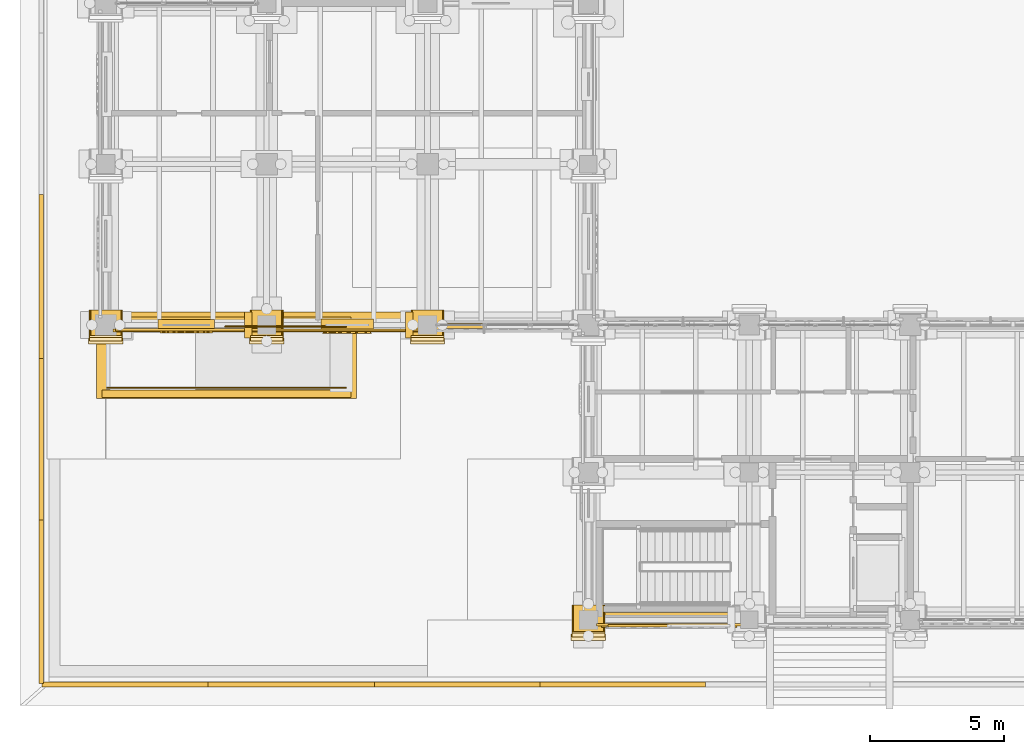
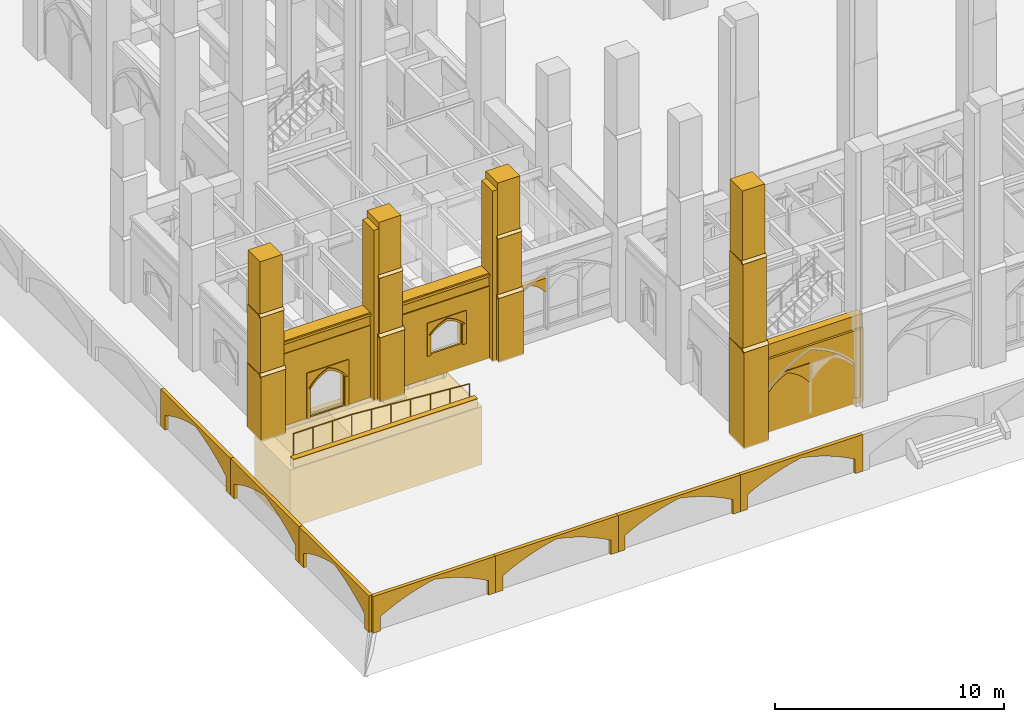
# One storey, part 74 of 135: 47 coverings, 2 railings.
"""IFC4 building model written with IfcOpenShell, lengths in metres."""

from ifc_helpers import new_model, si_unit, direction, frame, origin, origin_2d, place, context, subcontext, project, spatial, polyline, rectangle, circle, outline, extrude, material, type_object, element, save


model = new_model("IFC4")

# Units and contexts
model_context = context("Model", 3, precision=1e-05, world=origin(), true_north=direction((0.0, 1.0)))
body_context = subcontext(model_context, "Body", "Model", "MODEL_VIEW")
ifc_project = project(units=[si_unit("LENGTHUNIT", "METRE"), si_unit("AREAUNIT", "SQUARE_METRE"), si_unit("VOLUMEUNIT", "CUBIC_METRE"), si_unit("PLANEANGLEUNIT", "RADIAN"), si_unit("MASSUNIT", "GRAM", prefix="KILO")], contexts=[model_context])

# Site, building, storey
site_placement = place(None, origin())
site = spatial("IfcSite", under=ifc_project, at=site_placement, CompositionType="ELEMENT")
building_placement = place(site_placement, origin())
building = spatial("IfcBuilding", under=site, at=building_placement, Name="Cumevento Cable Car Station", CompositionType="ELEMENT")
storey_placement = place(building_placement, origin())
storey = spatial("IfcBuildingStorey", under=building, at=storey_placement, Name="L01", CompositionType="ELEMENT", Elevation=0.0)

# Railings
ifc_material_1 = material(Name="Painted Galvanised Architectural Steel", Category="steel")
railing_type = type_object("IfcRailingType", Name="Stair Guardrail GR-S115", PredefinedType="GUARDRAIL", material=ifc_material_1)
railing_1_placement = place(storey_placement, frame((4.050048828125, 12.659912109375, 0.0)))
element("IfcRailing", 1, at=railing_1_placement, inside=storey, type_object=railing_type, Name="Ramp Edge Guardrail RP-04 #198", PredefinedType="GUARDRAIL", context=body_context, shape_type="SweptSolid", body=[
    extrude(circle(Radius=0.02392578125, at=origin_2d()), frame((0.0, 0.0, 1.1259765625), z_axis=(1.0, 0.0, 0.0), x_axis=(0.0, 1.0, 0.0)), (0.0, 0.0, 1.0), 2.949951171875),
    extrude(circle(Radius=0.02392578125, at=origin_2d()), frame((2.949951171875, 0.0, 1.1259765625), z_axis=(0.997152812216, 0.0, -0.075407354352), x_axis=(0.0, 1.0, 0.0)), (0.0, 0.0, 1.0), 5.967041015625),
    extrude(circle(Radius=0.02001953125, at=origin_2d()), origin(), (0.0, 0.0, 1.0), 1.101806640625),
    extrude(circle(Radius=0.02001953125, at=origin_2d()), frame((0.9833984375, 0.0, 0.0)), (0.0, 0.0, 1.0), 1.101806640625),
    extrude(circle(Radius=0.02001953125, at=origin_2d()), frame((1.966552734375, 0.0, 0.0)), (0.0, 0.0, 1.0), 1.101806640625),
    extrude(circle(Radius=0.02001953125, at=origin_2d()), frame((2.949951171875, 0.0, 0.0)), (0.0, 0.0, 1.0), 1.101806640625),
    extrude(circle(Radius=0.02001953125, at=origin_2d()), frame((3.941650390625, 0.0, -0.074951171875)), (0.0, 0.0, 1.0), 1.101806640625),
    extrude(circle(Radius=0.02001953125, at=origin_2d()), frame((4.933349609375, 0.0, -0.14990234375)), (0.0, 0.0, 1.0), 1.101806640625),
    extrude(circle(Radius=0.02001953125, at=origin_2d()), frame((5.9248046875, 0.0, -0.22509765625)), (0.0, 0.0, 1.0), 1.101806640625),
    extrude(circle(Radius=0.02001953125, at=origin_2d()), frame((6.91650390625, 0.0, -0.300048828125)), (0.0, 0.0, 1.0), 1.101806640625),
    extrude(circle(Radius=0.02001953125, at=origin_2d()), frame((7.908203125, 0.0, -0.375)), (0.0, 0.0, 1.0), 1.101806640625),
    extrude(circle(Radius=0.02001953125, at=origin_2d()), frame((8.89990234375, 0.0, -0.449951171875)), (0.0, 0.0, 1.0), 1.101806640625),
])
railing_2_placement = place(storey_placement, frame((8.449951171875, 14.93994140625, -0.108642578125)))
element("IfcRailing", 2, at=railing_2_placement, inside=storey, type_object=railing_type, Name="Ramp Edge Guardrail RP-04 #199", PredefinedType="GUARDRAIL", context=body_context, shape_type="SweptSolid", body=[
    extrude(circle(Radius=0.02392578125, at=origin_2d()), frame((0.0, 0.0, 1.1259765625), z_axis=(0.997136016038, 0.0, -0.075629131425), x_axis=(0.0, 1.0, 0.0)), (0.0, 0.0, 1.0), 4.512939453125),
    extrude(circle(Radius=0.02001953125, at=origin_2d()), origin(), (0.0, 0.0, 1.0), 1.101806640625),
    extrude(circle(Radius=0.02001953125, at=origin_2d()), frame((0.89990234375, 0.0, -0.068359375)), (0.0, 0.0, 1.0), 1.101806640625),
    extrude(circle(Radius=0.02001953125, at=origin_2d()), frame((1.800048828125, 0.0, -0.136474609375)), (0.0, 0.0, 1.0), 1.101806640625),
    extrude(circle(Radius=0.02001953125, at=origin_2d()), frame((2.699951171875, 0.0, -0.204833984375)), (0.0, 0.0, 1.0), 1.101806640625),
    extrude(circle(Radius=0.02001953125, at=origin_2d()), frame((3.60009765625, 0.0, -0.27294921875)), (0.0, 0.0, 1.0), 1.101806640625),
    extrude(circle(Radius=0.02001953125, at=origin_2d()), frame((4.5, 0.0, -0.34130859375)), (0.0, 0.0, 1.0), 1.101806640625),
])

# Coverings
ifc_material_2 = material(Name="Gnaisse Facoidal Stone Ashlar 85 MPa", Category="masonry")
covering_type = type_object("IfcCoveringType", Name="Gnaisse Ashlar Cladding CV-CL01", PredefinedType="CLADDING", material=ifc_material_2)
covering_1_placement = place(storey_placement, frame((4.0, 14.93994140625, -0.06005859375), z_axis=(0.0, 0.0, 1.0), x_axis=(1.0, 0.0, 0.0)))
element("IfcCovering", 3, at=covering_1_placement, inside=storey, type_object=covering_type, Name="Stepped Gothic Stone Buttress Tier 1 bt:4.0:15.0", PredefinedType="CLADDING", context=body_context, shape_type="SweptSolid", body=[
    extrude(rectangle(XDim=1.239990234375, YDim=1.239990234375, at=origin_2d()), origin(), (0.0, 0.0, 1.0), 3.465576171875),
])
covering_2_placement = place(storey_placement, frame((3.360107421875, 14.300048828125, 3.385498046875), z_axis=(0.0, -0.714474823669, 0.699661151089), x_axis=(1.0, 0.0, 0.0)))
element("IfcCovering", 4, at=covering_2_placement, inside=storey, type_object=covering_type, Name="Gothic Buttress Sloped Stone Weathering 1 bt:4.0:15.0", PredefinedType="CLADDING", context=body_context, shape_type="SweptSolid", body=[
    extrude(outline(polyline([(0.0, 0.0), (1.27978515625, 0.0), (1.27978515625, 0.21424991728737658), (0.0, 0.21424991728737658), (0.0, 0.0)])), origin(), (0.0, 0.0, -1.0), 0.090087890625),
])
covering_3_placement = place(storey_placement, frame((4.0, 14.989990234375, 3.22314453125), z_axis=(0.0, 0.0, 1.0), x_axis=(1.0, 0.0, 0.0)))
element("IfcCovering", 5, at=covering_3_placement, inside=storey, type_object=covering_type, Name="Stepped Gothic Stone Buttress Tier 2 bt:4.0:15.0", PredefinedType="CLADDING", context=body_context, shape_type="SweptSolid", body=[
    extrude(rectangle(XDim=1.179931640625, YDim=1.139892578125, at=origin_2d()), origin(), (0.0, 0.0, 1.0), 3.283203125),
])
covering_4_placement = place(storey_placement, frame((3.389892578125, 14.39990234375, 6.486328125), z_axis=(0.0, -0.715574205881, 0.698536724788), x_axis=(1.0, 0.0, 0.0)))
element("IfcCovering", 6, at=covering_4_placement, inside=storey, type_object=covering_type, Name="Gothic Buttress Sloped Stone Weathering 2 bt:4.0:15.0", PredefinedType="CLADDING", context=body_context, shape_type="SweptSolid", body=[
    extrude(outline(polyline([(0.0, 0.0), (1.22021484375, 0.0), (1.22021484375, 0.2006146760464928), (0.0, 0.2006146760464928), (0.0, 0.0)])), origin(), (0.0, 0.0, -1.0), 0.090087890625),
])
covering_5_placement = place(storey_placement, frame((4.0, 15.034912109375, 6.32421875), z_axis=(0.0, 0.0, 1.0), x_axis=(1.0, 0.0, 0.0)))
element("IfcCovering", 7, at=covering_5_placement, inside=storey, type_object=covering_type, Name="Stepped Gothic Stone Buttress Tier 3 bt:4.0:15.0", PredefinedType="CLADDING", context=body_context, shape_type="SweptSolid", body=[
    extrude(rectangle(XDim=1.1201171875, YDim=1.050048828125, at=origin_2d()), origin(), (0.0, 0.0, 1.0), 3.075927734375),
])
covering_6_placement = place(storey_placement, frame((10.0, 14.93994140625, -0.06005859375), z_axis=(0.0, 0.0, 1.0), x_axis=(1.0, 0.0, 0.0)))
element("IfcCovering", 8, at=covering_6_placement, inside=storey, type_object=covering_type, Name="Stepped Gothic Stone Buttress Tier 1 bt:10.0:15.0", PredefinedType="CLADDING", context=body_context, shape_type="SweptSolid", body=[
    extrude(rectangle(XDim=1.239990234375, YDim=1.239990234375, at=origin_2d()), origin(), (0.0, 0.0, 1.0), 3.465576171875),
])
covering_7_placement = place(storey_placement, frame((9.360107421875, 14.300048828125, 3.385498046875), z_axis=(0.0, -0.714474823669, 0.699661151089), x_axis=(1.0, 0.0, 0.0)))
element("IfcCovering", 9, at=covering_7_placement, inside=storey, type_object=covering_type, Name="Gothic Buttress Sloped Stone Weathering 1 bt:10.0:15.0", PredefinedType="CLADDING", context=body_context, shape_type="SweptSolid", body=[
    extrude(outline(polyline([(0.0, 0.0), (1.27978515625, 0.0), (1.27978515625, 0.21424991728737658), (0.0, 0.21424991728737658), (0.0, 0.0)])), origin(), (0.0, 0.0, -1.0), 0.090087890625),
])
covering_8_placement = place(storey_placement, frame((10.0, 14.989990234375, 3.22314453125), z_axis=(0.0, 0.0, 1.0), x_axis=(1.0, 0.0, 0.0)))
element("IfcCovering", 10, at=covering_8_placement, inside=storey, type_object=covering_type, Name="Stepped Gothic Stone Buttress Tier 2 bt:10.0:15.0", PredefinedType="CLADDING", context=body_context, shape_type="SweptSolid", body=[
    extrude(rectangle(XDim=1.179931640625, YDim=1.139892578125, at=origin_2d()), origin(), (0.0, 0.0, 1.0), 3.283203125),
])
covering_9_placement = place(storey_placement, frame((9.389892578125, 14.39990234375, 6.486328125), z_axis=(0.0, -0.715574205881, 0.698536724788), x_axis=(1.0, 0.0, 0.0)))
element("IfcCovering", 11, at=covering_9_placement, inside=storey, type_object=covering_type, Name="Gothic Buttress Sloped Stone Weathering 2 bt:10.0:15.0", PredefinedType="CLADDING", context=body_context, shape_type="SweptSolid", body=[
    extrude(outline(polyline([(0.0, 0.0), (1.22021484375, 0.0), (1.22021484375, 0.2006146760464928), (0.0, 0.2006146760464928), (0.0, 0.0)])), origin(), (0.0, 0.0, -1.0), 0.090087890625),
])
covering_10_placement = place(storey_placement, frame((10.0, 15.034912109375, 6.32421875), z_axis=(0.0, 0.0, 1.0), x_axis=(1.0, 0.0, 0.0)))
element("IfcCovering", 12, at=covering_10_placement, inside=storey, type_object=covering_type, Name="Stepped Gothic Stone Buttress Tier 3 bt:10.0:15.0", PredefinedType="CLADDING", context=body_context, shape_type="SweptSolid", body=[
    extrude(rectangle(XDim=1.1201171875, YDim=1.050048828125, at=origin_2d()), origin(), (0.0, 0.0, 1.0), 3.075927734375),
])
covering_11_placement = place(storey_placement, frame((9.320068359375, 15.0, -0.06005859375), z_axis=(0.0, 0.0, 1.0), x_axis=(1.0, 0.0, 0.0)))
element("IfcCovering", 13, at=covering_11_placement, inside=storey, type_object=covering_type, Name="Corner Buttress Stone Return (10.0,15.0)", PredefinedType="CLADDING", context=body_context, shape_type="SweptSolid", body=[
    extrude(rectangle(XDim=0.280029296875, YDim=0.97998046875, at=origin_2d()), origin(), (0.0, 0.0, 1.0), 9.1201171875),
])
covering_12_placement = place(storey_placement, frame((16.0, 14.93994140625, -0.06005859375), z_axis=(0.0, 0.0, 1.0), x_axis=(1.0, 0.0, 0.0)))
element("IfcCovering", 14, at=covering_12_placement, inside=storey, type_object=covering_type, Name="Stepped Gothic Stone Buttress Tier 1 bt:16.0:15.0", PredefinedType="CLADDING", context=body_context, shape_type="SweptSolid", body=[
    extrude(rectangle(XDim=1.239990234375, YDim=1.239990234375, at=origin_2d()), origin(), (0.0, 0.0, 1.0), 3.465576171875),
])
covering_13_placement = place(storey_placement, frame((15.360107421875, 14.300048828125, 3.385498046875), z_axis=(0.0, -0.714474823669, 0.699661151089), x_axis=(1.0, 0.0, 0.0)))
element("IfcCovering", 15, at=covering_13_placement, inside=storey, type_object=covering_type, Name="Gothic Buttress Sloped Stone Weathering 1 bt:16.0:15.0", PredefinedType="CLADDING", context=body_context, shape_type="SweptSolid", body=[
    extrude(outline(polyline([(0.0, 0.0), (1.27978515625, 0.0), (1.27978515625, 0.21424991728737658), (0.0, 0.21424991728737658), (0.0, 0.0)])), origin(), (0.0, 0.0, -1.0), 0.090087890625),
])
covering_14_placement = place(storey_placement, frame((16.0, 14.989990234375, 3.22314453125), z_axis=(0.0, 0.0, 1.0), x_axis=(1.0, 0.0, 0.0)))
element("IfcCovering", 16, at=covering_14_placement, inside=storey, type_object=covering_type, Name="Stepped Gothic Stone Buttress Tier 2 bt:16.0:15.0", PredefinedType="CLADDING", context=body_context, shape_type="SweptSolid", body=[
    extrude(rectangle(XDim=1.179931640625, YDim=1.139892578125, at=origin_2d()), origin(), (0.0, 0.0, 1.0), 3.283203125),
])
covering_15_placement = place(storey_placement, frame((15.389892578125, 14.39990234375, 6.486328125), z_axis=(0.0, -0.715574205881, 0.698536724788), x_axis=(1.0, 0.0, 0.0)))
element("IfcCovering", 17, at=covering_15_placement, inside=storey, type_object=covering_type, Name="Gothic Buttress Sloped Stone Weathering 2 bt:16.0:15.0", PredefinedType="CLADDING", context=body_context, shape_type="SweptSolid", body=[
    extrude(outline(polyline([(0.0, 0.0), (1.22021484375, 0.0), (1.22021484375, 0.2006146760464928), (0.0, 0.2006146760464928), (0.0, 0.0)])), origin(), (0.0, 0.0, -1.0), 0.090087890625),
])
covering_16_placement = place(storey_placement, frame((16.0, 15.034912109375, 6.32421875), z_axis=(0.0, 0.0, 1.0), x_axis=(1.0, 0.0, 0.0)))
element("IfcCovering", 18, at=covering_16_placement, inside=storey, type_object=covering_type, Name="Stepped Gothic Stone Buttress Tier 3 bt:16.0:15.0", PredefinedType="CLADDING", context=body_context, shape_type="SweptSolid", body=[
    extrude(rectangle(XDim=1.1201171875, YDim=1.050048828125, at=origin_2d()), origin(), (0.0, 0.0, 1.0), 3.075927734375),
])
covering_17_placement = place(storey_placement, frame((15.320068359375, 15.0, -0.06005859375), z_axis=(0.0, 0.0, 1.0), x_axis=(1.0, 0.0, 0.0)))
element("IfcCovering", 19, at=covering_17_placement, inside=storey, type_object=covering_type, Name="Corner Buttress Stone Return (16.0,15.0)", PredefinedType="CLADDING", context=body_context, shape_type="SweptSolid", body=[
    extrude(rectangle(XDim=0.280029296875, YDim=0.97998046875, at=origin_2d()), origin(), (0.0, 0.0, 1.0), 9.1201171875),
])
covering_18_placement = place(storey_placement, frame((22.0, 3.909912109375, -0.06005859375), z_axis=(0.0, 0.0, 1.0), x_axis=(1.0, 0.0, 0.0)))
element("IfcCovering", 20, at=covering_18_placement, inside=storey, type_object=covering_type, Name="Stepped Gothic Stone Buttress Tier 1 bt:22.0:4.0", PredefinedType="CLADDING", context=body_context, shape_type="SweptSolid", body=[
    extrude(rectangle(XDim=1.239990234375, YDim=1.300048828125, at=origin_2d()), origin(), (0.0, 0.0, 1.0), 5.175537109375),
])
covering_19_placement = place(storey_placement, frame((21.360107421875, 3.239990234375, 5.095703125), z_axis=(0.0, -0.711135781079, 0.703054692658), x_axis=(1.0, 0.0, 0.0)))
element("IfcCovering", 21, at=covering_19_placement, inside=storey, type_object=covering_type, Name="Gothic Buttress Sloped Stone Weathering 1 bt:22.0:4.0", PredefinedType="CLADDING", context=body_context, shape_type="SweptSolid", body=[
    extrude(outline(polyline([(0.0, 0.0), (1.27978515625, 0.0), (1.27978515625, 0.24169083397703695), (0.0, 0.24169083397703695), (0.0, 0.0)])), origin(), (0.0, 0.0, -1.0), 0.090087890625),
])
covering_20_placement = place(storey_placement, frame((22.0, 3.969970703125, 4.84326171875), z_axis=(0.0, 0.0, 1.0), x_axis=(1.0, 0.0, 0.0)))
element("IfcCovering", 22, at=covering_20_placement, inside=storey, type_object=covering_type, Name="Stepped Gothic Stone Buttress Tier 2 bt:22.0:4.0", PredefinedType="CLADDING", context=body_context, shape_type="SweptSolid", body=[
    extrude(rectangle(XDim=1.179931640625, YDim=1.179931640625, at=origin_2d()), origin(), (0.0, 0.0, 1.0), 4.9033203125),
])
covering_21_placement = place(storey_placement, frame((21.389892578125, 3.360107421875, 9.726318359375), z_axis=(0.0, -0.714474823669, 0.699661151089), x_axis=(1.0, 0.0, 0.0)))
element("IfcCovering", 23, at=covering_21_placement, inside=storey, type_object=covering_type, Name="Gothic Buttress Sloped Stone Weathering 2 bt:22.0:4.0", PredefinedType="CLADDING", context=body_context, shape_type="SweptSolid", body=[
    extrude(outline(polyline([(0.0, 0.0), (1.22021484375, 0.0), (1.22021484375, 0.21424991728737655), (0.0, 0.21424991728737655), (0.0, 0.0)])), origin(), (0.0, 0.0, -1.0), 0.090087890625),
])
covering_22_placement = place(storey_placement, frame((22.0, 4.02001953125, 9.47412109375), z_axis=(0.0, 0.0, 1.0), x_axis=(1.0, 0.0, 0.0)))
element("IfcCovering", 24, at=covering_22_placement, inside=storey, type_object=covering_type, Name="Stepped Gothic Stone Buttress Tier 3 bt:22.0:4.0", PredefinedType="CLADDING", context=body_context, shape_type="SweptSolid", body=[
    extrude(rectangle(XDim=1.1201171875, YDim=1.080078125, at=origin_2d()), origin(), (0.0, 0.0, 1.0), 4.0859375),
])
covering_23_placement = place(storey_placement, frame((25.012451171875, 4.090087890625, 3.821044921875), z_axis=(0.0, 0.0, 1.0), x_axis=(-1.0, 0.0, 0.0)))
element("IfcCovering", 25, at=covering_23_placement, inside=storey, type_object=covering_type, Name="Gothic Stone Spandrel Stringcourse sc:0001", PredefinedType="CLADDING", context=body_context, shape_type="SweptSolid", body=[
    extrude(rectangle(XDim=5.385009765625, YDim=0.3798828125, at=origin_2d()), origin(), (0.0, 0.0, 1.0), 0.7470703125),
])
covering_24_placement = place(storey_placement, frame((7.02490234375, 15.14990234375, 3.7490234375), z_axis=(0.0, 0.0, 1.0), x_axis=(-1.0, 0.0, 0.0)))
element("IfcCovering", 26, at=covering_24_placement, inside=storey, type_object=covering_type, Name="Gothic Stone Spandrel Stringcourse sc:0054", PredefinedType="CLADDING", context=body_context, shape_type="SweptSolid", body=[
    extrude(rectangle(XDim=5.489990234375, YDim=0.659912109375, at=origin_2d()), origin(), (0.0, 0.0, 1.0), 0.7470703125),
])
covering_25_placement = place(storey_placement, frame((7.02490234375, 14.79248046875, 4.365966796875), z_axis=(0.0, 0.0, 1.0), x_axis=(-1.0, 0.0, 0.0)))
element("IfcCovering", 27, at=covering_25_placement, inside=storey, type_object=covering_type, Name="Gothic Cornice Dripstone Lip sc:0054", PredefinedType="CLADDING", context=body_context, shape_type="SweptSolid", body=[
    extrude(rectangle(XDim=5.530029296875, YDim=0.114990234375, at=origin_2d()), origin(), (0.0, 0.0, 1.0), 0.1298828125),
])
covering_26_placement = place(storey_placement, frame((13.0, 15.14990234375, 3.7490234375), z_axis=(0.0, 0.0, 1.0), x_axis=(-1.0, 0.0, 0.0)))
element("IfcCovering", 28, at=covering_26_placement, inside=storey, type_object=covering_type, Name="Gothic Stone Spandrel Stringcourse sc:0055", PredefinedType="CLADDING", context=body_context, shape_type="SweptSolid", body=[
    extrude(rectangle(XDim=5.5400390625, YDim=0.659912109375, at=origin_2d()), origin(), (0.0, 0.0, 1.0), 0.7470703125),
])
covering_27_placement = place(storey_placement, frame((13.0, 14.79248046875, 4.365966796875), z_axis=(0.0, 0.0, 1.0), x_axis=(-1.0, 0.0, 0.0)))
element("IfcCovering", 29, at=covering_27_placement, inside=storey, type_object=covering_type, Name="Gothic Cornice Dripstone Lip sc:0055", PredefinedType="CLADDING", context=body_context, shape_type="SweptSolid", body=[
    extrude(rectangle(XDim=5.580078125, YDim=0.114990234375, at=origin_2d()), origin(), (0.0, 0.0, 1.0), 0.1298828125),
])
covering_28_placement = place(storey_placement, frame((18.083251953125, 15.0, 2.445068359375), z_axis=(0.0, 0.0, 1.0), x_axis=(-1.0, 0.0, 0.0)))
element("IfcCovering", 30, at=covering_28_placement, inside=storey, type_object=covering_type, Name="Gothic Ogival Pointed-Arch Stone Spandrel cw_ogival:0015:sub:2", PredefinedType="CLADDING", context=body_context, shape_type="SweptSolid", body=[
    extrude(outline(polyline([(-0.02001953125, 0.0), (-0.02001953125, 0.7333984375), (1.623291015625, 0.7333984375), (1.623291015625, 0.0), (1.563232421875, 0.0), (1.46533203125, 0.133544921875), (1.35400390625, 0.256103515625), (1.230712890625, 0.366455078125), (1.096435546875, 0.463623046875), (0.952880859375, 0.546142578125), (0.8017578125, 0.61328125), (0.650390625, 0.546142578125), (0.5068359375, 0.463623046875), (0.37255859375, 0.366455078125), (0.249267578125, 0.256103515625), (0.137939453125, 0.133544921875), (0.0400390625, 0.0), (-0.02001953125, 0.0)])), frame((0.0, 0.1240234375, 0.0), z_axis=(0.0, -1.0, 0.0), x_axis=(1.0, 0.0, 0.0)), (0.0, 0.0, 1.0), 0.199951171875),
])
covering_29_placement = place(storey_placement, frame((27.675048828125, 4.0, 0.0), z_axis=(0.0, 0.0, 1.0), x_axis=(-1.0, 0.0, 0.0)))
element("IfcCovering", 31, at=covering_29_placement, inside=storey, type_object=covering_type, Name="Exterior Gnaisse Stone Wall Ashlar #110", PredefinedType="CLADDING", context=body_context, shape_type="SweptSolid", body=[
    extrude(outline(polyline([(-0.0400390625, -0.02001953125), (5.364990234375, -0.02001953125), (5.364990234375, 3.90087890625), (-0.0400390625, 3.90087890625), (-0.0400390625, -0.02001953125)])), frame((0.0, 0.222412109375, 0.0), z_axis=(0.0, -1.0, 0.0), x_axis=(1.0, 0.0, 0.0)), (0.0, 0.0, 1.0), 0.0849609375),
])
covering_30_placement = place(storey_placement, frame((27.4951171875, 4.0, 0.300048828125), z_axis=(0.0, 0.0, 1.0), x_axis=(-1.0, 0.0, 0.0)))
element("IfcCovering", 32, at=covering_30_placement, inside=storey, type_object=covering_type, Name="Gothic Ogival Pointed-Arch Stone Spandrel blind_ogival:0110", PredefinedType="CLADDING", context=body_context, shape_type="SweptSolid", body=[
    extrude(outline(polyline([(-0.050048828125, 0.0), (-0.050048828125, 3.62109375), (5.014892578125, 3.62109375), (5.014892578125, 0.0), (4.705078125, 0.0), (4.705078125, 1.873291015625), (4.444580078125, 2.163818359375), (4.161865234375, 2.4326171875), (3.85888671875, 2.67822265625), (3.537353515625, 2.8994140625), (3.199462890625, 3.09423828125), (2.84716796875, 3.26171875), (2.482421875, 3.40087890625), (2.117919921875, 3.26171875), (1.765625, 3.09423828125), (1.427734375, 2.8994140625), (1.106201171875, 2.67822265625), (0.80322265625, 2.4326171875), (0.5205078125, 2.163818359375), (0.260009765625, 1.873291015625), (0.260009765625, 0.0), (-0.050048828125, 0.0)])), frame((0.0, 0.277587890625, 0.0), z_axis=(0.0, -1.0, 0.0), x_axis=(1.0, 0.0, 0.0)), (0.0, 0.0, 1.0), 0.110107421875),
])
covering_31_placement = place(storey_placement, frame((24.967529296875, 4.0, 1.993408203125), z_axis=(0.0, 0.0, 1.0), x_axis=(-1.0, 0.0, 0.0)))
element("IfcCovering", 33, at=covering_31_placement, inside=storey, type_object=covering_type, Name="Gothic Ogival Pointed-Arch Stone Spandrel blind_ogival:0110:sub:1", PredefinedType="CLADDING", context=body_context, shape_type="SweptSolid", body=[
    extrude(outline(polyline([(-0.02001953125, 0.0), (-0.02001953125, 0.974365234375), (2.2275390625, 0.974365234375), (2.2275390625, 0.0), (2.16748046875, 0.0), (2.030517578125, 0.18603515625), (1.875, 0.35693359375), (1.70263671875, 0.5107421875), (1.515380859375, 0.645751953125), (1.31494140625, 0.7607421875), (1.103759765625, 0.8544921875), (0.892578125, 0.7607421875), (0.692138671875, 0.645751953125), (0.5048828125, 0.5107421875), (0.33251953125, 0.35693359375), (0.177001953125, 0.18603515625), (0.0400390625, 0.0), (-0.02001953125, 0.0)])), frame((0.0, 0.261474609375, 0.0), z_axis=(0.0, -1.0, 0.0), x_axis=(1.0, 0.0, 0.0)), (0.0, 0.0, 1.0), 0.090087890625),
])
covering_32_placement = place(storey_placement, frame((9.64990234375, 15.0, 0.0), z_axis=(0.0, 0.0, 1.0), x_axis=(-1.0, 0.0, 0.0)))
element("IfcCovering", 34, at=covering_32_placement, inside=storey, type_object=covering_type, Name="Exterior Gnaisse Stone Wall Ashlar #140", PredefinedType="CLADDING", context=body_context, shape_type="SweptSolid", body=[
    extrude(outline(polyline([(-0.0400390625, -0.02001953125), (5.2900390625, -0.02001953125), (5.2900390625, 3.8291015625), (-0.0400390625, 3.8291015625), (-0.0400390625, -0.02001953125)]), holes=[polyline([(1.784912109375, 0.02001953125), (3.514892578125, 0.02001953125), (3.514892578125, 2.18994140625), (1.784912109375, 2.18994140625), (1.784912109375, 0.02001953125)])]), frame((0.0, 0.215087890625, 0.0), z_axis=(0.0, -1.0, 0.0), x_axis=(1.0, 0.0, 0.0)), (0.0, 0.0, 1.0), 0.0849609375),
])
covering_33_placement = place(storey_placement, frame((8.014892578125, 15.0, -0.050048828125), z_axis=(0.0, 0.0, 1.0), x_axis=(-1.0, 0.0, 0.0)))
element("IfcCovering", 35, at=covering_33_placement, inside=storey, type_object=covering_type, Name="Gothic Ogival Pointed-Arch Stone Spandrel op_ogival:0140:1", PredefinedType="CLADDING", context=body_context, shape_type="SweptSolid", body=[
    extrude(outline(polyline([(-0.0400390625, 0.0), (-0.0400390625, 2.469970703125), (2.070068359375, 2.469970703125), (2.070068359375, 0.0), (1.889892578125, 0.0), (1.889892578125, 1.634033203125), (1.791015625, 1.7578125), (1.68212890625, 1.873046875), (1.563720703125, 1.978271484375), (1.43701171875, 2.073486328125), (1.302734375, 2.157470703125), (1.16162109375, 2.229736328125), (1.014892578125, 2.2900390625), (0.868408203125, 2.229736328125), (0.727294921875, 2.157470703125), (0.593017578125, 2.073486328125), (0.46630859375, 1.978271484375), (0.347900390625, 1.873046875), (0.239013671875, 1.7578125), (0.139892578125, 1.634033203125), (0.139892578125, 0.0), (-0.0400390625, 0.0)])), frame((0.0, 0.2529296875, 0.0), z_axis=(0.0, -1.0, 0.0), x_axis=(1.0, 0.0, 0.0)), (0.0, 0.0, 1.0), 0.4599609375),
])
covering_34_placement = place(storey_placement, frame((8.014892578125, 15.0, 1.583984375), z_axis=(0.0, 0.0, 1.0), x_axis=(-1.0, 0.0, 0.0)))
element("IfcCovering", 36, at=covering_34_placement, inside=storey, type_object=covering_type, Name="Gothic Pointed Archivolt Hood Moulding op_ogival:0140:1", PredefinedType="CLADDING", context=body_context, shape_type="SweptSolid", body=[
    extrude(outline(polyline([(0.139892578125, 0.0), (0.239013671875, 0.123779296875), (0.347900390625, 0.239013671875), (0.46630859375, 0.34423828125), (0.593017578125, 0.439453125), (0.727294921875, 0.5234375), (0.868408203125, 0.595703125), (1.014892578125, 0.656005859375), (1.16162109375, 0.595703125), (1.302734375, 0.5234375), (1.43701171875, 0.439453125), (1.563720703125, 0.34423828125), (1.68212890625, 0.239013671875), (1.791015625, 0.123779296875), (1.889892578125, 0.0), (1.989013671875, 0.0), (1.88232421875, 0.146484375), (1.76318359375, 0.28271484375), (1.632568359375, 0.407958984375), (1.4912109375, 0.521240234375), (1.34033203125, 0.621337890625), (1.18115234375, 0.707763671875), (1.014892578125, 0.77978515625), (0.848876953125, 0.707763671875), (0.689697265625, 0.621337890625), (0.538818359375, 0.521240234375), (0.3974609375, 0.407958984375), (0.266845703125, 0.28271484375), (0.147705078125, 0.146484375), (0.041015625, 0.0), (0.139892578125, 0.0)])), frame((0.0, 0.294921875, 0.0), z_axis=(0.0, -1.0, 0.0), x_axis=(1.0, 0.0, 0.0)), (0.0, 0.0, 1.0), 0.06689453125),
])
covering_35_placement = place(storey_placement, frame((15.64990234375, 15.0, 0.0), z_axis=(0.0, 0.0, 1.0), x_axis=(-1.0, 0.0, 0.0)))
element("IfcCovering", 37, at=covering_35_placement, inside=storey, type_object=covering_type, Name="Exterior Gnaisse Stone Wall Ashlar #141", PredefinedType="CLADDING", context=body_context, shape_type="SweptSolid", body=[
    extrude(outline(polyline([(-0.0400390625, -0.02001953125), (5.340087890625, -0.02001953125), (5.340087890625, 3.8291015625), (-0.0400390625, 3.8291015625), (-0.0400390625, -0.02001953125)]), holes=[polyline([(1.860107421875, 1.260009765625), (3.43994140625, 1.260009765625), (3.43994140625, 2.739990234375), (1.860107421875, 2.739990234375), (1.860107421875, 1.260009765625)])]), frame((0.0, 0.22998046875, 0.0), z_axis=(0.0, -1.0, 0.0), x_axis=(1.0, 0.0, 0.0)), (0.0, 0.0, 1.0), 0.0849609375),
])
covering_36_placement = place(storey_placement, frame((13.93994140625, 15.0, 1.199951171875), z_axis=(0.0, 0.0, 1.0), x_axis=(-1.0, 0.0, 0.0)))
element("IfcCovering", 38, at=covering_36_placement, inside=storey, type_object=covering_type, Name="Gothic Ogival Pointed-Arch Stone Spandrel op_ogival:0141:1", PredefinedType="CLADDING", context=body_context, shape_type="SweptSolid", body=[
    extrude(outline(polyline([(-0.0400390625, 0.0), (-0.0400390625, 1.77001953125), (1.919921875, 1.77001953125), (1.919921875, 0.0), (1.739990234375, 0.0), (1.739990234375, 1.1298828125), (1.640380859375, 1.218505859375), (1.535400390625, 1.2998046875), (1.4248046875, 1.3740234375), (1.309326171875, 1.440185546875), (1.189697265625, 1.498779296875), (1.06640625, 1.548583984375), (0.93994140625, 1.590087890625), (0.8134765625, 1.548583984375), (0.690185546875, 1.498779296875), (0.570556640625, 1.440185546875), (0.455078125, 1.3740234375), (0.344482421875, 1.2998046875), (0.239501953125, 1.218505859375), (0.139892578125, 1.1298828125), (0.139892578125, 0.0), (-0.0400390625, 0.0)])), frame((0.0, 0.26806640625, 0.0), z_axis=(0.0, -1.0, 0.0), x_axis=(1.0, 0.0, 0.0)), (0.0, 0.0, 1.0), 0.489990234375),
])
covering_37_placement = place(storey_placement, frame((13.93994140625, 15.0, 2.330078125), z_axis=(0.0, 0.0, 1.0), x_axis=(-1.0, 0.0, 0.0)))
element("IfcCovering", 39, at=covering_37_placement, inside=storey, type_object=covering_type, Name="Gothic Pointed Archivolt Hood Moulding op_ogival:0141:1", PredefinedType="CLADDING", context=body_context, shape_type="SweptSolid", body=[
    extrude(outline(polyline([(0.139892578125, 0.0), (0.239501953125, 0.088623046875), (0.344482421875, 0.169921875), (0.455078125, 0.244140625), (0.570556640625, 0.310302734375), (0.690185546875, 0.36865234375), (0.8134765625, 0.418701171875), (0.93994140625, 0.4599609375), (1.06640625, 0.418701171875), (1.189697265625, 0.36865234375), (1.309326171875, 0.310302734375), (1.4248046875, 0.244140625), (1.535400390625, 0.169921875), (1.640380859375, 0.088623046875), (1.739990234375, 0.0), (1.839111328125, 0.0), (1.731201171875, 0.111328125), (1.615478515625, 0.21435546875), (1.492431640625, 0.308349609375), (1.362548828125, 0.392822265625), (1.2265625, 0.467041015625), (1.08544921875, 0.53076171875), (0.93994140625, 0.583740234375), (0.79443359375, 0.53076171875), (0.6533203125, 0.467041015625), (0.517333984375, 0.392822265625), (0.387451171875, 0.308349609375), (0.264404296875, 0.21435546875), (0.148681640625, 0.111328125), (0.041015625, 0.0), (0.139892578125, 0.0)])), frame((0.0, 0.31005859375, 0.0), z_axis=(0.0, -1.0, 0.0), x_axis=(1.0, 0.0, 0.0)), (0.0, 0.0, 1.0), 0.06689453125),
])
for number, where, z_axis, x_axis, name in (
    (40, (7.823974609375, 1.64990234375, -1.919921875), (0.0, 0.0, 1.0), (-1.0, 0.0, 0.0), "Gothic Ogival Pointed-Arch Stone Spandrel cumevento_plinth:plinth_arch:S:0"),
    (41, (13.998046875, 1.64990234375, -1.919921875), (0.0, 0.0, 1.0), (-1.0, 0.0, 0.0), "Gothic Ogival Pointed-Arch Stone Spandrel cumevento_plinth:plinth_arch:S:1"),
    (42, (20.172119140625, 1.64990234375, -1.919921875), (0.0, 0.0, 1.0), (-1.0, 0.0, 0.0), "Gothic Ogival Pointed-Arch Stone Spandrel cumevento_plinth:plinth_arch:S:2"),
    (43, (26.34619140625, 1.64990234375, -1.919921875), (0.0, 0.0, 1.0), (-1.0, 0.0, 0.0), "Gothic Ogival Pointed-Arch Stone Spandrel cumevento_plinth:plinth_arch:S:3"),
):
    element("IfcCovering", number, at=place(storey_placement, frame(where, z_axis=z_axis, x_axis=x_axis)), inside=storey, type_object=covering_type, Name=name, PredefinedType="CLADDING", context=body_context, shape_type="SweptSolid", body=[
        extrude(outline(polyline([(-0.02001953125, 0.0), (-0.02001953125, 1.9599609375), (6.194091796875, 1.9599609375), (6.194091796875, 0.0), (5.81396484375, 0.0), (5.81396484375, 0.77001953125), (5.3857421875, 1.00390625), (4.945068359375, 1.213623046875), (4.493408203125, 1.3984375), (4.0322265625, 1.558349609375), (3.56298828125, 1.692138671875), (3.087158203125, 1.800048828125), (2.611083984375, 1.692138671875), (2.141845703125, 1.558349609375), (1.6806640625, 1.3984375), (1.22900390625, 1.213623046875), (0.788330078125, 1.00390625), (0.360107421875, 0.77001953125), (0.360107421875, 0.0), (-0.02001953125, 0.0)])), frame((0.0, 0.14990234375, 0.0), z_axis=(0.0, -1.0, 0.0), x_axis=(1.0, 0.0, 0.0)), (0.0, 0.0, 1.0), 0.179931640625),
    ])
for number, where, z_axis, x_axis, name in (
    (44, (1.64990234375, 13.77734375, -1.919921875), (0.0, 0.0, 1.0), (0.0, 1.0, 0.0), "Gothic Ogival Pointed-Arch Stone Spandrel cumevento_plinth:plinth_arch:W:8"),
    (45, (1.64990234375, 7.713623046875, -1.919921875), (0.0, 0.0, 1.0), (0.0, 1.0, 0.0), "Gothic Ogival Pointed-Arch Stone Spandrel cumevento_plinth:plinth_arch:W:9"),
    (46, (1.64990234375, 1.64990234375, -1.919921875), (0.0, 0.0, 1.0), (0.0, 1.0, 0.0), "Gothic Ogival Pointed-Arch Stone Spandrel cumevento_plinth:plinth_arch:W:10"),
):
    element("IfcCovering", number, at=place(storey_placement, frame(where, z_axis=z_axis, x_axis=x_axis)), inside=storey, type_object=covering_type, Name=name, PredefinedType="CLADDING", context=body_context, shape_type="SweptSolid", body=[
        extrude(outline(polyline([(-0.02001953125, 0.0), (-0.02001953125, 1.9599609375), (6.083740234375, 1.9599609375), (6.083740234375, 0.0), (5.70361328125, 0.0), (5.70361328125, 0.77001953125), (5.284912109375, 1.003662109375), (4.853759765625, 1.21337890625), (4.41162109375, 1.3984375), (3.95947265625, 1.55810546875), (3.4990234375, 1.692138671875), (3.03173828125, 1.800048828125), (2.564697265625, 1.692138671875), (2.104248046875, 1.55810546875), (1.652099609375, 1.3984375), (1.2099609375, 1.21337890625), (0.77880859375, 1.003662109375), (0.360107421875, 0.77001953125), (0.360107421875, 0.0), (-0.02001953125, 0.0)])), frame((0.0, 0.14990234375, 0.0), z_axis=(0.0, -1.0, 0.0), x_axis=(1.0, 0.0, 0.0)), (0.0, 0.0, 1.0), 0.179931640625),
    ])
covering_38_placement = place(storey_placement, frame((0.0, 0.0, -3.52001953125)))
element("IfcCovering", 47, at=covering_38_placement, inside=storey, type_object=covering_type, Name="Ramp Sub-Base Stone Bed (4.0,12.6)", PredefinedType="CLADDING", context=body_context, shape_type="SweptSolid", body=[
    extrude(outline(polyline([(13.35009765625, 12.25), (13.35009765625, 15.35009765625), (3.64990234375, 15.35009765625), (3.64990234375, 12.25), (13.35009765625, 12.25)])), origin(), (0.0, 0.0, 1.0), 3.090087890625),
])
for number, where, z_axis, x_axis, name in (
    (48, (8.5, 12.43994140625, -0.4501953125), (0.0, 0.0, 1.0), (1.0, 0.0, 0.0), "Ramp Stone Cheek Wall (4.0,12.4)"),
    (49, (8.5, 15.159912109375, -0.4501953125), (0.0, 0.0, 1.0), (1.0, 0.0, 0.0), "Ramp Stone Cheek Wall (4.0,15.2)"),
):
    element("IfcCovering", number, at=place(storey_placement, frame(where, z_axis=z_axis, x_axis=x_axis)), inside=storey, type_object=covering_type, Name=name, PredefinedType="CLADDING", context=body_context, shape_type="SweptSolid", body=[
        extrude(rectangle(XDim=9.300048828125, YDim=0.280029296875, at=origin_2d()), origin(), (0.0, 0.0, 1.0), 0.489990234375),
    ])

save(model, "model.ifc")
